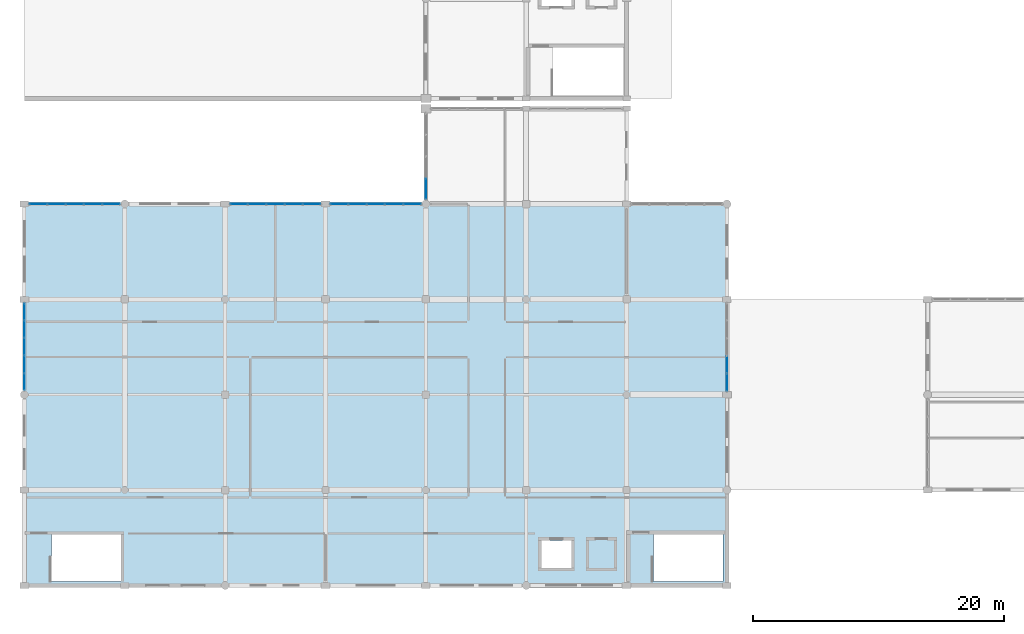
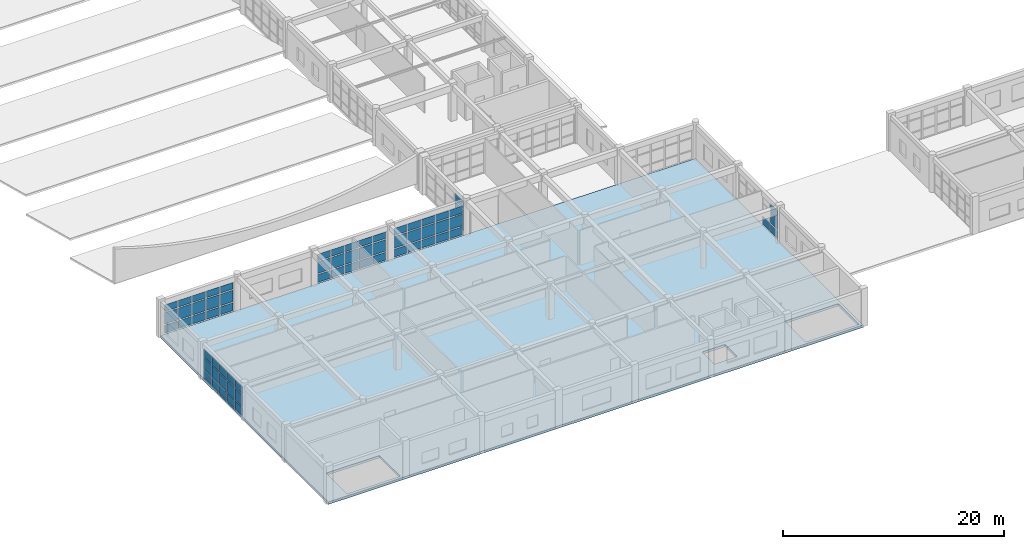
# One storey, part 90 of 121: 67 plates, 1 slab, 6 elements without a shape of their own.
"""IFC4 building model written with IfcOpenShell, lengths in metres."""

from ifc_helpers import new_model, si_unit, direction, frame, origin, origin_2d, place, context, subcontext, project, spatial, polyline, rectangle, outline, extrude, material, layer, layer_set, type_object, element, aggregate, save


model = new_model("IFC4")

# Units and contexts
model_context = context("Model", 3, precision=1e-05, world=origin(), true_north=direction((0.0, 1.0)))
body_context = subcontext(model_context, "Body", "Model", "MODEL_VIEW")
ifc_project = project(units=[si_unit("LENGTHUNIT", "METRE"), si_unit("AREAUNIT", "SQUARE_METRE"), si_unit("VOLUMEUNIT", "CUBIC_METRE"), si_unit("PLANEANGLEUNIT", "RADIAN"), si_unit("MASSUNIT", "GRAM", prefix="KILO")], contexts=[model_context])

# Site, building, storey
site_placement = place(None, origin())
site = spatial("IfcSite", under=ifc_project, at=site_placement, CompositionType="ELEMENT")
building_placement = place(site_placement, origin())
building = spatial("IfcBuilding", under=site, at=building_placement, Name="Kharva Crest Polytechnic", CompositionType="ELEMENT")
storey_placement = place(building_placement, frame((0.0, 0.0, 13.199951171875)))
storey = spatial("IfcBuildingStorey", under=building, at=storey_placement, Name="L03", CompositionType="ELEMENT", Elevation=13.199951171875)

# Curtain wall, plates
ifc_material_1 = material(Name="Tempered insulated glass", Category="glass")
curtain_wall_type = type_object("IfcCurtainWallType", Name="CW-SYS-COURT", PredefinedType="USERDEFINED", material=ifc_material_1)
curtain_wall_1_placement = place(storey_placement, origin())
curtain_wall_1 = element("IfcCurtainWall", 1, at=curtain_wall_1_placement, inside=storey, type_object=curtain_wall_type, Name="L03 Glazed Curtain Wall CW-125", ObjectType="CURTAIN WALL", PredefinedType="USERDEFINED")
ifc_layer_1 = layer(ifc_material_1, 0.02392578125, Name="Tempered insulated glass")
ifc_layer_set_1 = layer_set([ifc_layer_1], Name="Tempered insulated glass")
plate_type = type_object("IfcPlateType", Name="CWP-GLZ-24", PredefinedType="CURTAIN_PANEL", material=ifc_layer_set_1)
plate_1_placement = place(storey_placement, frame((56.0, 16.18408203125, 0.119873046875), z_axis=(0.0, 0.0, 1.0), x_axis=(0.0, 1.0, 0.0)))
plate_1 = element("IfcPlate", 2, at=plate_1_placement, type_object=plate_type, Name="CW-125 panel 1.1", PredefinedType="CURTAIN_PANEL", context=body_context, shape_type="SweptSolid", body=[
    extrude(rectangle(XDim=1.298095703125, YDim=0.02392578125, at=origin_2d()), origin(), (0.0, 0.0, 1.0), 0.8701171875),
])
plate_2_placement = place(storey_placement, frame((56.0, 16.18408203125, 1.10986328125), z_axis=(0.0, 0.0, 1.0), x_axis=(0.0, 1.0, 0.0)))
plate_2 = element("IfcPlate", 3, at=plate_2_placement, type_object=plate_type, Name="CW-125 panel 1.2", PredefinedType="CURTAIN_PANEL", context=body_context, shape_type="SweptSolid", body=[
    extrude(rectangle(XDim=1.298095703125, YDim=0.02392578125, at=origin_2d()), origin(), (0.0, 0.0, 1.0), 1.280029296875),
])
plate_3_placement = place(storey_placement, frame((56.0, 16.18408203125, 2.510009765625), z_axis=(0.0, 0.0, 1.0), x_axis=(0.0, 1.0, 0.0)))
plate_3 = element("IfcPlate", 4, at=plate_3_placement, type_object=plate_type, Name="CW-125 panel 1.3", PredefinedType="CURTAIN_PANEL", context=body_context, shape_type="SweptSolid", body=[
    extrude(rectangle(XDim=1.298095703125, YDim=0.02392578125, at=origin_2d()), origin(), (0.0, 0.0, 1.0), 0.7099609375),
])
plate_4_placement = place(storey_placement, frame((56.0, 17.58203125, 0.119873046875), z_axis=(0.0, 0.0, 1.0), x_axis=(0.0, 1.0, 0.0)))
plate_4 = element("IfcPlate", 5, at=plate_4_placement, type_object=plate_type, Name="CW-125 panel 2.1", PredefinedType="CURTAIN_PANEL", context=body_context, shape_type="SweptSolid", body=[
    extrude(rectangle(XDim=1.337890625, YDim=0.02392578125, at=origin_2d()), origin(), (0.0, 0.0, 1.0), 0.8701171875),
])
aggregate(curtain_wall_1, [plate_1, plate_2, plate_3, plate_4])

curtain_wall_2_placement = place(storey_placement, origin())
curtain_wall_2 = element("IfcCurtainWall", 6, at=curtain_wall_2_placement, inside=storey, type_object=curtain_wall_type, Name="L03 Glazed Curtain Wall CW-129", ObjectType="CURTAIN WALL", PredefinedType="USERDEFINED")
plate_5_placement = place(storey_placement, frame((32.0, 31.613037109375, 0.119873046875), z_axis=(0.0, 0.0, 1.0), x_axis=(0.0, -1.0, 0.0)))
plate_5 = element("IfcPlate", 7, at=plate_5_placement, type_object=plate_type, Name="CW-129 panel 4.1", PredefinedType="CURTAIN_PANEL", context=body_context, shape_type="SweptSolid", body=[
    extrude(rectangle(XDim=1.6162109375, YDim=0.02392578125, at=origin_2d()), origin(), (0.0, 0.0, 1.0), 0.8701171875),
])
plate_6_placement = place(storey_placement, frame((32.0, 31.613037109375, 1.10986328125), z_axis=(0.0, 0.0, 1.0), x_axis=(0.0, -1.0, 0.0)))
plate_6 = element("IfcPlate", 8, at=plate_6_placement, type_object=plate_type, Name="CW-129 panel 4.2", PredefinedType="CURTAIN_PANEL", context=body_context, shape_type="SweptSolid", body=[
    extrude(rectangle(XDim=1.6162109375, YDim=0.02392578125, at=origin_2d()), origin(), (0.0, 0.0, 1.0), 1.280029296875),
])
plate_7_placement = place(storey_placement, frame((32.0, 31.613037109375, 2.510009765625), z_axis=(0.0, 0.0, 1.0), x_axis=(0.0, -1.0, 0.0)))
plate_7 = element("IfcPlate", 9, at=plate_7_placement, type_object=plate_type, Name="CW-129 panel 4.3", PredefinedType="CURTAIN_PANEL", context=body_context, shape_type="SweptSolid", body=[
    extrude(rectangle(XDim=1.6162109375, YDim=0.02392578125, at=origin_2d()), origin(), (0.0, 0.0, 1.0), 0.81005859375),
])
aggregate(curtain_wall_2, [plate_5, plate_6, plate_7])

curtain_wall_3_placement = place(storey_placement, origin())
curtain_wall_3 = element("IfcCurtainWall", 10, at=curtain_wall_3_placement, inside=storey, type_object=curtain_wall_type, Name="L03 Glazed Curtain Wall CW-130", ObjectType="CURTAIN WALL", PredefinedType="USERDEFINED")
plate_8_placement = place(storey_placement, frame((30.922119140625, 30.39990234375, 0.119873046875), z_axis=(0.0, 0.0, 1.0), x_axis=(-1.0, 0.0, 0.0)))
plate_8 = element("IfcPlate", 11, at=plate_8_placement, type_object=plate_type, Name="CW-130 panel 1.1", PredefinedType="CURTAIN_PANEL", context=body_context, shape_type="SweptSolid", body=[
    extrude(rectangle(XDim=1.345947265625, YDim=0.02392578125, at=origin_2d()), origin(), (0.0, 0.0, 1.0), 0.8701171875),
])
plate_9_placement = place(storey_placement, frame((30.922119140625, 30.39990234375, 1.10986328125), z_axis=(0.0, 0.0, 1.0), x_axis=(-1.0, 0.0, 0.0)))
plate_9 = element("IfcPlate", 12, at=plate_9_placement, type_object=plate_type, Name="CW-130 panel 1.2", PredefinedType="CURTAIN_PANEL", context=body_context, shape_type="SweptSolid", body=[
    extrude(rectangle(XDim=1.345947265625, YDim=0.02392578125, at=origin_2d()), origin(), (0.0, 0.0, 1.0), 1.280029296875),
])
plate_10_placement = place(storey_placement, frame((30.922119140625, 30.39990234375, 2.51025390625), z_axis=(0.0, 0.0, 1.0), x_axis=(-1.0, 0.0, 0.0)))
plate_10 = element("IfcPlate", 13, at=plate_10_placement, type_object=plate_type, Name="CW-130 panel 1.3", PredefinedType="CURTAIN_PANEL", context=body_context, shape_type="SweptSolid", body=[
    extrude(rectangle(XDim=1.345947265625, YDim=0.02392578125, at=origin_2d()), origin(), (0.0, 0.0, 1.0), 0.780029296875),
])
plate_11_placement = place(storey_placement, frame((29.47607421875, 30.39990234375, 0.119873046875), z_axis=(0.0, 0.0, 1.0), x_axis=(-1.0, 0.0, 0.0)))
plate_11 = element("IfcPlate", 14, at=plate_11_placement, type_object=plate_type, Name="CW-130 panel 2.1", PredefinedType="CURTAIN_PANEL", context=body_context, shape_type="SweptSolid", body=[
    extrude(rectangle(XDim=1.385986328125, YDim=0.02392578125, at=origin_2d()), origin(), (0.0, 0.0, 1.0), 0.8701171875),
])
plate_12_placement = place(storey_placement, frame((29.47607421875, 30.39990234375, 1.10986328125), z_axis=(0.0, 0.0, 1.0), x_axis=(-1.0, 0.0, 0.0)))
plate_12 = element("IfcPlate", 15, at=plate_12_placement, type_object=plate_type, Name="CW-130 panel 2.2", PredefinedType="CURTAIN_PANEL", context=body_context, shape_type="SweptSolid", body=[
    extrude(rectangle(XDim=1.385986328125, YDim=0.02392578125, at=origin_2d()), origin(), (0.0, 0.0, 1.0), 1.280029296875),
])
plate_13_placement = place(storey_placement, frame((29.47607421875, 30.39990234375, 2.51025390625), z_axis=(0.0, 0.0, 1.0), x_axis=(-1.0, 0.0, 0.0)))
plate_13 = element("IfcPlate", 16, at=plate_13_placement, type_object=plate_type, Name="CW-130 panel 2.3", PredefinedType="CURTAIN_PANEL", context=body_context, shape_type="SweptSolid", body=[
    extrude(rectangle(XDim=1.385986328125, YDim=0.02392578125, at=origin_2d()), origin(), (0.0, 0.0, 1.0), 0.780029296875),
])
plate_14_placement = place(storey_placement, frame((28.010009765625, 30.39990234375, 0.119873046875), z_axis=(0.0, 0.0, 1.0), x_axis=(-1.0, 0.0, 0.0)))
plate_14 = element("IfcPlate", 17, at=plate_14_placement, type_object=plate_type, Name="CW-130 panel 3.1", PredefinedType="CURTAIN_PANEL", context=body_context, shape_type="SweptSolid", body=[
    extrude(rectangle(XDim=1.385986328125, YDim=0.02392578125, at=origin_2d()), origin(), (0.0, 0.0, 1.0), 0.8701171875),
])
plate_15_placement = place(storey_placement, frame((28.010009765625, 30.39990234375, 1.10986328125), z_axis=(0.0, 0.0, 1.0), x_axis=(-1.0, 0.0, 0.0)))
plate_15 = element("IfcPlate", 18, at=plate_15_placement, type_object=plate_type, Name="CW-130 panel 3.2", PredefinedType="CURTAIN_PANEL", context=body_context, shape_type="SweptSolid", body=[
    extrude(rectangle(XDim=1.385986328125, YDim=0.02392578125, at=origin_2d()), origin(), (0.0, 0.0, 1.0), 1.280029296875),
])
plate_16_placement = place(storey_placement, frame((28.010009765625, 30.39990234375, 2.51025390625), z_axis=(0.0, 0.0, 1.0), x_axis=(-1.0, 0.0, 0.0)))
plate_16 = element("IfcPlate", 19, at=plate_16_placement, type_object=plate_type, Name="CW-130 panel 3.3", PredefinedType="CURTAIN_PANEL", context=body_context, shape_type="SweptSolid", body=[
    extrude(rectangle(XDim=1.385986328125, YDim=0.02392578125, at=origin_2d()), origin(), (0.0, 0.0, 1.0), 0.780029296875),
])
plate_17_placement = place(storey_placement, frame((26.5439453125, 30.39990234375, 0.119873046875), z_axis=(0.0, 0.0, 1.0), x_axis=(-1.0, 0.0, 0.0)))
plate_17 = element("IfcPlate", 20, at=plate_17_placement, type_object=plate_type, Name="CW-130 panel 4.1", PredefinedType="CURTAIN_PANEL", context=body_context, shape_type="SweptSolid", body=[
    extrude(rectangle(XDim=1.385986328125, YDim=0.02392578125, at=origin_2d()), origin(), (0.0, 0.0, 1.0), 0.8701171875),
])
plate_18_placement = place(storey_placement, frame((26.5439453125, 30.39990234375, 1.10986328125), z_axis=(0.0, 0.0, 1.0), x_axis=(-1.0, 0.0, 0.0)))
plate_18 = element("IfcPlate", 21, at=plate_18_placement, type_object=plate_type, Name="CW-130 panel 4.2", PredefinedType="CURTAIN_PANEL", context=body_context, shape_type="SweptSolid", body=[
    extrude(rectangle(XDim=1.385986328125, YDim=0.02392578125, at=origin_2d()), origin(), (0.0, 0.0, 1.0), 1.280029296875),
])
plate_19_placement = place(storey_placement, frame((26.5439453125, 30.39990234375, 2.51025390625), z_axis=(0.0, 0.0, 1.0), x_axis=(-1.0, 0.0, 0.0)))
plate_19 = element("IfcPlate", 22, at=plate_19_placement, type_object=plate_type, Name="CW-130 panel 4.3", PredefinedType="CURTAIN_PANEL", context=body_context, shape_type="SweptSolid", body=[
    extrude(rectangle(XDim=1.385986328125, YDim=0.02392578125, at=origin_2d()), origin(), (0.0, 0.0, 1.0), 0.780029296875),
])
plate_20_placement = place(storey_placement, frame((25.097900390625, 30.39990234375, 0.119873046875), z_axis=(0.0, 0.0, 1.0), x_axis=(-1.0, 0.0, 0.0)))
plate_20 = element("IfcPlate", 23, at=plate_20_placement, type_object=plate_type, Name="CW-130 panel 5.1", PredefinedType="CURTAIN_PANEL", context=body_context, shape_type="SweptSolid", body=[
    extrude(rectangle(XDim=1.345947265625, YDim=0.02392578125, at=origin_2d()), origin(), (0.0, 0.0, 1.0), 0.8701171875),
])
plate_21_placement = place(storey_placement, frame((25.097900390625, 30.39990234375, 1.10986328125), z_axis=(0.0, 0.0, 1.0), x_axis=(-1.0, 0.0, 0.0)))
plate_21 = element("IfcPlate", 24, at=plate_21_placement, type_object=plate_type, Name="CW-130 panel 5.2", PredefinedType="CURTAIN_PANEL", context=body_context, shape_type="SweptSolid", body=[
    extrude(rectangle(XDim=1.345947265625, YDim=0.02392578125, at=origin_2d()), origin(), (0.0, 0.0, 1.0), 1.280029296875),
])
plate_22_placement = place(storey_placement, frame((25.097900390625, 30.39990234375, 2.51025390625), z_axis=(0.0, 0.0, 1.0), x_axis=(-1.0, 0.0, 0.0)))
plate_22 = element("IfcPlate", 25, at=plate_22_placement, type_object=plate_type, Name="CW-130 panel 5.3", PredefinedType="CURTAIN_PANEL", context=body_context, shape_type="SweptSolid", body=[
    extrude(rectangle(XDim=1.345947265625, YDim=0.02392578125, at=origin_2d()), origin(), (0.0, 0.0, 1.0), 0.780029296875),
])
aggregate(curtain_wall_3, [plate_8, plate_9, plate_10, plate_11, plate_12, plate_13, plate_14, plate_15, plate_16, plate_17, plate_18, plate_19, plate_20, plate_21, plate_22])

curtain_wall_4_placement = place(storey_placement, origin())
curtain_wall_4 = element("IfcCurtainWall", 26, at=curtain_wall_4_placement, inside=storey, type_object=curtain_wall_type, Name="L03 Glazed Curtain Wall CW-131", ObjectType="CURTAIN WALL", PredefinedType="USERDEFINED")
plate_23_placement = place(storey_placement, frame((22.905029296875, 30.39990234375, 0.119873046875), z_axis=(0.0, 0.0, 1.0), x_axis=(-1.0, 0.0, 0.0)))
plate_23 = element("IfcPlate", 27, at=plate_23_placement, type_object=plate_type, Name="CW-131 panel 1.1", PredefinedType="CURTAIN_PANEL", context=body_context, shape_type="SweptSolid", body=[
    extrude(rectangle(XDim=1.340087890625, YDim=0.02392578125, at=origin_2d()), origin(), (0.0, 0.0, 1.0), 0.8701171875),
])
plate_24_placement = place(storey_placement, frame((22.905029296875, 30.39990234375, 1.10986328125), z_axis=(0.0, 0.0, 1.0), x_axis=(-1.0, 0.0, 0.0)))
plate_24 = element("IfcPlate", 28, at=plate_24_placement, type_object=plate_type, Name="CW-131 panel 1.2", PredefinedType="CURTAIN_PANEL", context=body_context, shape_type="SweptSolid", body=[
    extrude(rectangle(XDim=1.340087890625, YDim=0.02392578125, at=origin_2d()), origin(), (0.0, 0.0, 1.0), 1.280029296875),
])
plate_25_placement = place(storey_placement, frame((22.905029296875, 30.39990234375, 2.510009765625), z_axis=(0.0, 0.0, 1.0), x_axis=(-1.0, 0.0, 0.0)))
plate_25 = element("IfcPlate", 29, at=plate_25_placement, type_object=plate_type, Name="CW-131 panel 1.3", PredefinedType="CURTAIN_PANEL", context=body_context, shape_type="SweptSolid", body=[
    extrude(rectangle(XDim=1.340087890625, YDim=0.02392578125, at=origin_2d()), origin(), (0.0, 0.0, 1.0), 0.72998046875),
])
plate_26_placement = place(storey_placement, frame((21.465087890625, 30.39990234375, 0.119873046875), z_axis=(0.0, 0.0, 1.0), x_axis=(-1.0, 0.0, 0.0)))
plate_26 = element("IfcPlate", 30, at=plate_26_placement, type_object=plate_type, Name="CW-131 panel 2.1", PredefinedType="CURTAIN_PANEL", context=body_context, shape_type="SweptSolid", body=[
    extrude(rectangle(XDim=1.3798828125, YDim=0.02392578125, at=origin_2d()), origin(), (0.0, 0.0, 1.0), 0.8701171875),
])
plate_27_placement = place(storey_placement, frame((21.465087890625, 30.39990234375, 1.10986328125), z_axis=(0.0, 0.0, 1.0), x_axis=(-1.0, 0.0, 0.0)))
plate_27 = element("IfcPlate", 31, at=plate_27_placement, type_object=plate_type, Name="CW-131 panel 2.2", PredefinedType="CURTAIN_PANEL", context=body_context, shape_type="SweptSolid", body=[
    extrude(rectangle(XDim=1.3798828125, YDim=0.02392578125, at=origin_2d()), origin(), (0.0, 0.0, 1.0), 1.280029296875),
])
plate_28_placement = place(storey_placement, frame((21.465087890625, 30.39990234375, 2.510009765625), z_axis=(0.0, 0.0, 1.0), x_axis=(-1.0, 0.0, 0.0)))
plate_28 = element("IfcPlate", 32, at=plate_28_placement, type_object=plate_type, Name="CW-131 panel 2.3", PredefinedType="CURTAIN_PANEL", context=body_context, shape_type="SweptSolid", body=[
    extrude(rectangle(XDim=1.3798828125, YDim=0.02392578125, at=origin_2d()), origin(), (0.0, 0.0, 1.0), 0.72998046875),
])
plate_29_placement = place(storey_placement, frame((20.0048828125, 30.39990234375, 0.119873046875), z_axis=(0.0, 0.0, 1.0), x_axis=(-1.0, 0.0, 0.0)))
plate_29 = element("IfcPlate", 33, at=plate_29_placement, type_object=plate_type, Name="CW-131 panel 3.1", PredefinedType="CURTAIN_PANEL", context=body_context, shape_type="SweptSolid", body=[
    extrude(rectangle(XDim=1.3798828125, YDim=0.02392578125, at=origin_2d()), origin(), (0.0, 0.0, 1.0), 0.8701171875),
])
plate_30_placement = place(storey_placement, frame((20.0048828125, 30.39990234375, 1.10986328125), z_axis=(0.0, 0.0, 1.0), x_axis=(-1.0, 0.0, 0.0)))
plate_30 = element("IfcPlate", 34, at=plate_30_placement, type_object=plate_type, Name="CW-131 panel 3.2", PredefinedType="CURTAIN_PANEL", context=body_context, shape_type="SweptSolid", body=[
    extrude(rectangle(XDim=1.3798828125, YDim=0.02392578125, at=origin_2d()), origin(), (0.0, 0.0, 1.0), 1.280029296875),
])
plate_31_placement = place(storey_placement, frame((20.0048828125, 30.39990234375, 2.510009765625), z_axis=(0.0, 0.0, 1.0), x_axis=(-1.0, 0.0, 0.0)))
plate_31 = element("IfcPlate", 35, at=plate_31_placement, type_object=plate_type, Name="CW-131 panel 3.3", PredefinedType="CURTAIN_PANEL", context=body_context, shape_type="SweptSolid", body=[
    extrude(rectangle(XDim=1.3798828125, YDim=0.02392578125, at=origin_2d()), origin(), (0.0, 0.0, 1.0), 0.72998046875),
])
plate_32_placement = place(storey_placement, frame((18.544921875, 30.39990234375, 0.119873046875), z_axis=(0.0, 0.0, 1.0), x_axis=(-1.0, 0.0, 0.0)))
plate_32 = element("IfcPlate", 36, at=plate_32_placement, type_object=plate_type, Name="CW-131 panel 4.1", PredefinedType="CURTAIN_PANEL", context=body_context, shape_type="SweptSolid", body=[
    extrude(rectangle(XDim=1.3798828125, YDim=0.02392578125, at=origin_2d()), origin(), (0.0, 0.0, 1.0), 0.8701171875),
])
plate_33_placement = place(storey_placement, frame((18.544921875, 30.39990234375, 1.10986328125), z_axis=(0.0, 0.0, 1.0), x_axis=(-1.0, 0.0, 0.0)))
plate_33 = element("IfcPlate", 37, at=plate_33_placement, type_object=plate_type, Name="CW-131 panel 4.2", PredefinedType="CURTAIN_PANEL", context=body_context, shape_type="SweptSolid", body=[
    extrude(rectangle(XDim=1.3798828125, YDim=0.02392578125, at=origin_2d()), origin(), (0.0, 0.0, 1.0), 1.280029296875),
])
plate_34_placement = place(storey_placement, frame((18.544921875, 30.39990234375, 2.510009765625), z_axis=(0.0, 0.0, 1.0), x_axis=(-1.0, 0.0, 0.0)))
plate_34 = element("IfcPlate", 38, at=plate_34_placement, type_object=plate_type, Name="CW-131 panel 4.3", PredefinedType="CURTAIN_PANEL", context=body_context, shape_type="SweptSolid", body=[
    extrude(rectangle(XDim=1.3798828125, YDim=0.02392578125, at=origin_2d()), origin(), (0.0, 0.0, 1.0), 0.72998046875),
])
plate_35_placement = place(storey_placement, frame((17.10498046875, 30.39990234375, 0.119873046875), z_axis=(0.0, 0.0, 1.0), x_axis=(-1.0, 0.0, 0.0)))
plate_35 = element("IfcPlate", 39, at=plate_35_placement, type_object=plate_type, Name="CW-131 panel 5.1", PredefinedType="CURTAIN_PANEL", context=body_context, shape_type="SweptSolid", body=[
    extrude(rectangle(XDim=1.340087890625, YDim=0.02392578125, at=origin_2d()), origin(), (0.0, 0.0, 1.0), 0.8701171875),
])
plate_36_placement = place(storey_placement, frame((17.10498046875, 30.39990234375, 1.10986328125), z_axis=(0.0, 0.0, 1.0), x_axis=(-1.0, 0.0, 0.0)))
plate_36 = element("IfcPlate", 40, at=plate_36_placement, type_object=plate_type, Name="CW-131 panel 5.2", PredefinedType="CURTAIN_PANEL", context=body_context, shape_type="SweptSolid", body=[
    extrude(rectangle(XDim=1.340087890625, YDim=0.02392578125, at=origin_2d()), origin(), (0.0, 0.0, 1.0), 1.280029296875),
])
plate_37_placement = place(storey_placement, frame((17.10498046875, 30.39990234375, 2.510009765625), z_axis=(0.0, 0.0, 1.0), x_axis=(-1.0, 0.0, 0.0)))
plate_37 = element("IfcPlate", 41, at=plate_37_placement, type_object=plate_type, Name="CW-131 panel 5.3", PredefinedType="CURTAIN_PANEL", context=body_context, shape_type="SweptSolid", body=[
    extrude(rectangle(XDim=1.340087890625, YDim=0.02392578125, at=origin_2d()), origin(), (0.0, 0.0, 1.0), 0.72998046875),
])
aggregate(curtain_wall_4, [plate_23, plate_24, plate_25, plate_26, plate_27, plate_28, plate_29, plate_30, plate_31, plate_32, plate_33, plate_34, plate_35, plate_36, plate_37])

curtain_wall_5_placement = place(storey_placement, origin())
curtain_wall_5 = element("IfcCurtainWall", 42, at=curtain_wall_5_placement, inside=storey, type_object=curtain_wall_type, Name="L03 Glazed Curtain Wall CW-132", ObjectType="CURTAIN WALL", PredefinedType="USERDEFINED")
plate_38_placement = place(storey_placement, frame((6.922119140625, 30.39990234375, 0.119873046875), z_axis=(0.0, 0.0, 1.0), x_axis=(-1.0, 0.0, 0.0)))
plate_38 = element("IfcPlate", 43, at=plate_38_placement, type_object=plate_type, Name="CW-132 panel 1.1", PredefinedType="CURTAIN_PANEL", context=body_context, shape_type="SweptSolid", body=[
    extrude(rectangle(XDim=1.345947265625, YDim=0.02392578125, at=origin_2d()), origin(), (0.0, 0.0, 1.0), 0.8701171875),
])
plate_39_placement = place(storey_placement, frame((6.922119140625, 30.39990234375, 1.10986328125), z_axis=(0.0, 0.0, 1.0), x_axis=(-1.0, 0.0, 0.0)))
plate_39 = element("IfcPlate", 44, at=plate_39_placement, type_object=plate_type, Name="CW-132 panel 1.2", PredefinedType="CURTAIN_PANEL", context=body_context, shape_type="SweptSolid", body=[
    extrude(rectangle(XDim=1.345947265625, YDim=0.02392578125, at=origin_2d()), origin(), (0.0, 0.0, 1.0), 1.280029296875),
])
plate_40_placement = place(storey_placement, frame((6.922119140625, 30.39990234375, 2.510009765625), z_axis=(0.0, 0.0, 1.0), x_axis=(-1.0, 0.0, 0.0)))
plate_40 = element("IfcPlate", 45, at=plate_40_placement, type_object=plate_type, Name="CW-132 panel 1.3", PredefinedType="CURTAIN_PANEL", context=body_context, shape_type="SweptSolid", body=[
    extrude(rectangle(XDim=1.345947265625, YDim=0.02392578125, at=origin_2d()), origin(), (0.0, 0.0, 1.0), 0.72998046875),
])
plate_41_placement = place(storey_placement, frame((5.47607421875, 30.39990234375, 0.119873046875), z_axis=(0.0, 0.0, 1.0), x_axis=(-1.0, 0.0, 0.0)))
plate_41 = element("IfcPlate", 46, at=plate_41_placement, type_object=plate_type, Name="CW-132 panel 2.1", PredefinedType="CURTAIN_PANEL", context=body_context, shape_type="SweptSolid", body=[
    extrude(rectangle(XDim=1.385986328125, YDim=0.02392578125, at=origin_2d()), origin(), (0.0, 0.0, 1.0), 0.8701171875),
])
plate_42_placement = place(storey_placement, frame((5.47607421875, 30.39990234375, 1.10986328125), z_axis=(0.0, 0.0, 1.0), x_axis=(-1.0, 0.0, 0.0)))
plate_42 = element("IfcPlate", 47, at=plate_42_placement, type_object=plate_type, Name="CW-132 panel 2.2", PredefinedType="CURTAIN_PANEL", context=body_context, shape_type="SweptSolid", body=[
    extrude(rectangle(XDim=1.385986328125, YDim=0.02392578125, at=origin_2d()), origin(), (0.0, 0.0, 1.0), 1.280029296875),
])
plate_43_placement = place(storey_placement, frame((5.47607421875, 30.39990234375, 2.510009765625), z_axis=(0.0, 0.0, 1.0), x_axis=(-1.0, 0.0, 0.0)))
plate_43 = element("IfcPlate", 48, at=plate_43_placement, type_object=plate_type, Name="CW-132 panel 2.3", PredefinedType="CURTAIN_PANEL", context=body_context, shape_type="SweptSolid", body=[
    extrude(rectangle(XDim=1.385986328125, YDim=0.02392578125, at=origin_2d()), origin(), (0.0, 0.0, 1.0), 0.72998046875),
])
plate_44_placement = place(storey_placement, frame((4.010009765625, 30.39990234375, 0.119873046875), z_axis=(0.0, 0.0, 1.0), x_axis=(-1.0, 0.0, 0.0)))
plate_44 = element("IfcPlate", 49, at=plate_44_placement, type_object=plate_type, Name="CW-132 panel 3.1", PredefinedType="CURTAIN_PANEL", context=body_context, shape_type="SweptSolid", body=[
    extrude(rectangle(XDim=1.385986328125, YDim=0.02392578125, at=origin_2d()), origin(), (0.0, 0.0, 1.0), 0.8701171875),
])
plate_45_placement = place(storey_placement, frame((4.010009765625, 30.39990234375, 1.10986328125), z_axis=(0.0, 0.0, 1.0), x_axis=(-1.0, 0.0, 0.0)))
plate_45 = element("IfcPlate", 50, at=plate_45_placement, type_object=plate_type, Name="CW-132 panel 3.2", PredefinedType="CURTAIN_PANEL", context=body_context, shape_type="SweptSolid", body=[
    extrude(rectangle(XDim=1.385986328125, YDim=0.02392578125, at=origin_2d()), origin(), (0.0, 0.0, 1.0), 1.280029296875),
])
plate_46_placement = place(storey_placement, frame((4.010009765625, 30.39990234375, 2.510009765625), z_axis=(0.0, 0.0, 1.0), x_axis=(-1.0, 0.0, 0.0)))
plate_46 = element("IfcPlate", 51, at=plate_46_placement, type_object=plate_type, Name="CW-132 panel 3.3", PredefinedType="CURTAIN_PANEL", context=body_context, shape_type="SweptSolid", body=[
    extrude(rectangle(XDim=1.385986328125, YDim=0.02392578125, at=origin_2d()), origin(), (0.0, 0.0, 1.0), 0.72998046875),
])
plate_47_placement = place(storey_placement, frame((2.5439453125, 30.39990234375, 0.119873046875), z_axis=(0.0, 0.0, 1.0), x_axis=(-1.0, 0.0, 0.0)))
plate_47 = element("IfcPlate", 52, at=plate_47_placement, type_object=plate_type, Name="CW-132 panel 4.1", PredefinedType="CURTAIN_PANEL", context=body_context, shape_type="SweptSolid", body=[
    extrude(rectangle(XDim=1.385986328125, YDim=0.02392578125, at=origin_2d()), origin(), (0.0, 0.0, 1.0), 0.8701171875),
])
plate_48_placement = place(storey_placement, frame((2.5439453125, 30.39990234375, 1.10986328125), z_axis=(0.0, 0.0, 1.0), x_axis=(-1.0, 0.0, 0.0)))
plate_48 = element("IfcPlate", 53, at=plate_48_placement, type_object=plate_type, Name="CW-132 panel 4.2", PredefinedType="CURTAIN_PANEL", context=body_context, shape_type="SweptSolid", body=[
    extrude(rectangle(XDim=1.385986328125, YDim=0.02392578125, at=origin_2d()), origin(), (0.0, 0.0, 1.0), 1.280029296875),
])
plate_49_placement = place(storey_placement, frame((2.5439453125, 30.39990234375, 2.510009765625), z_axis=(0.0, 0.0, 1.0), x_axis=(-1.0, 0.0, 0.0)))
plate_49 = element("IfcPlate", 54, at=plate_49_placement, type_object=plate_type, Name="CW-132 panel 4.3", PredefinedType="CURTAIN_PANEL", context=body_context, shape_type="SweptSolid", body=[
    extrude(rectangle(XDim=1.385986328125, YDim=0.02392578125, at=origin_2d()), origin(), (0.0, 0.0, 1.0), 0.72998046875),
])
plate_50_placement = place(storey_placement, frame((1.097900390625, 30.39990234375, 0.119873046875), z_axis=(0.0, 0.0, 1.0), x_axis=(-1.0, 0.0, 0.0)))
plate_50 = element("IfcPlate", 55, at=plate_50_placement, type_object=plate_type, Name="CW-132 panel 5.1", PredefinedType="CURTAIN_PANEL", context=body_context, shape_type="SweptSolid", body=[
    extrude(rectangle(XDim=1.345947265625, YDim=0.02392578125, at=origin_2d()), origin(), (0.0, 0.0, 1.0), 0.8701171875),
])
plate_51_placement = place(storey_placement, frame((1.097900390625, 30.39990234375, 1.10986328125), z_axis=(0.0, 0.0, 1.0), x_axis=(-1.0, 0.0, 0.0)))
plate_51 = element("IfcPlate", 56, at=plate_51_placement, type_object=plate_type, Name="CW-132 panel 5.2", PredefinedType="CURTAIN_PANEL", context=body_context, shape_type="SweptSolid", body=[
    extrude(rectangle(XDim=1.345947265625, YDim=0.02392578125, at=origin_2d()), origin(), (0.0, 0.0, 1.0), 1.280029296875),
])
plate_52_placement = place(storey_placement, frame((1.097900390625, 30.39990234375, 2.510009765625), z_axis=(0.0, 0.0, 1.0), x_axis=(-1.0, 0.0, 0.0)))
plate_52 = element("IfcPlate", 57, at=plate_52_placement, type_object=plate_type, Name="CW-132 panel 5.3", PredefinedType="CURTAIN_PANEL", context=body_context, shape_type="SweptSolid", body=[
    extrude(rectangle(XDim=1.345947265625, YDim=0.02392578125, at=origin_2d()), origin(), (0.0, 0.0, 1.0), 0.72998046875),
])
aggregate(curtain_wall_5, [plate_38, plate_39, plate_40, plate_41, plate_42, plate_43, plate_44, plate_45, plate_46, plate_47, plate_48, plate_49, plate_50, plate_51, plate_52])

curtain_wall_6_placement = place(storey_placement, origin())
curtain_wall_6 = element("IfcCurtainWall", 58, at=curtain_wall_6_placement, inside=storey, type_object=curtain_wall_type, Name="L03 Glazed Curtain Wall CW-133", ObjectType="CURTAIN WALL", PredefinedType="USERDEFINED")
plate_53_placement = place(storey_placement, frame((0.0, 21.822998046875, 0.119873046875), z_axis=(0.0, 0.0, 1.0), x_axis=(0.0, -1.0, 0.0)))
plate_53 = element("IfcPlate", 59, at=plate_53_placement, type_object=plate_type, Name="CW-133 panel 1.1", PredefinedType="CURTAIN_PANEL", context=body_context, shape_type="SweptSolid", body=[
    extrude(rectangle(XDim=1.283935546875, YDim=0.02392578125, at=origin_2d()), origin(), (0.0, 0.0, 1.0), 0.8701171875),
])
plate_54_placement = place(storey_placement, frame((0.0, 21.822998046875, 1.10986328125), z_axis=(0.0, 0.0, 1.0), x_axis=(0.0, -1.0, 0.0)))
plate_54 = element("IfcPlate", 60, at=plate_54_placement, type_object=plate_type, Name="CW-133 panel 1.2", PredefinedType="CURTAIN_PANEL", context=body_context, shape_type="SweptSolid", body=[
    extrude(rectangle(XDim=1.283935546875, YDim=0.02392578125, at=origin_2d()), origin(), (0.0, 0.0, 1.0), 1.280029296875),
])
plate_55_placement = place(storey_placement, frame((0.0, 21.822998046875, 2.510009765625), z_axis=(0.0, 0.0, 1.0), x_axis=(0.0, -1.0, 0.0)))
plate_55 = element("IfcPlate", 61, at=plate_55_placement, type_object=plate_type, Name="CW-133 panel 1.3", PredefinedType="CURTAIN_PANEL", context=body_context, shape_type="SweptSolid", body=[
    extrude(rectangle(XDim=1.283935546875, YDim=0.02392578125, at=origin_2d()), origin(), (0.0, 0.0, 1.0), 0.81005859375),
])
plate_56_placement = place(storey_placement, frame((0.0, 20.43896484375, 0.119873046875), z_axis=(0.0, 0.0, 1.0), x_axis=(0.0, -1.0, 0.0)))
plate_56 = element("IfcPlate", 62, at=plate_56_placement, type_object=plate_type, Name="CW-133 panel 2.1", PredefinedType="CURTAIN_PANEL", context=body_context, shape_type="SweptSolid", body=[
    extrude(rectangle(XDim=1.323974609375, YDim=0.02392578125, at=origin_2d()), origin(), (0.0, 0.0, 1.0), 0.8701171875),
])
plate_57_placement = place(storey_placement, frame((0.0, 20.43896484375, 1.10986328125), z_axis=(0.0, 0.0, 1.0), x_axis=(0.0, -1.0, 0.0)))
plate_57 = element("IfcPlate", 63, at=plate_57_placement, type_object=plate_type, Name="CW-133 panel 2.2", PredefinedType="CURTAIN_PANEL", context=body_context, shape_type="SweptSolid", body=[
    extrude(rectangle(XDim=1.323974609375, YDim=0.02392578125, at=origin_2d()), origin(), (0.0, 0.0, 1.0), 1.280029296875),
])
plate_58_placement = place(storey_placement, frame((0.0, 20.43896484375, 2.510009765625), z_axis=(0.0, 0.0, 1.0), x_axis=(0.0, -1.0, 0.0)))
plate_58 = element("IfcPlate", 64, at=plate_58_placement, type_object=plate_type, Name="CW-133 panel 2.3", PredefinedType="CURTAIN_PANEL", context=body_context, shape_type="SweptSolid", body=[
    extrude(rectangle(XDim=1.323974609375, YDim=0.02392578125, at=origin_2d()), origin(), (0.0, 0.0, 1.0), 0.81005859375),
])
plate_59_placement = place(storey_placement, frame((0.0, 19.034912109375, 0.119873046875), z_axis=(0.0, 0.0, 1.0), x_axis=(0.0, -1.0, 0.0)))
plate_59 = element("IfcPlate", 65, at=plate_59_placement, type_object=plate_type, Name="CW-133 panel 3.1", PredefinedType="CURTAIN_PANEL", context=body_context, shape_type="SweptSolid", body=[
    extrude(rectangle(XDim=1.323974609375, YDim=0.02392578125, at=origin_2d()), origin(), (0.0, 0.0, 1.0), 0.8701171875),
])
plate_60_placement = place(storey_placement, frame((0.0, 19.034912109375, 1.10986328125), z_axis=(0.0, 0.0, 1.0), x_axis=(0.0, -1.0, 0.0)))
plate_60 = element("IfcPlate", 66, at=plate_60_placement, type_object=plate_type, Name="CW-133 panel 3.2", PredefinedType="CURTAIN_PANEL", context=body_context, shape_type="SweptSolid", body=[
    extrude(rectangle(XDim=1.323974609375, YDim=0.02392578125, at=origin_2d()), origin(), (0.0, 0.0, 1.0), 1.280029296875),
])
plate_61_placement = place(storey_placement, frame((0.0, 19.034912109375, 2.510009765625), z_axis=(0.0, 0.0, 1.0), x_axis=(0.0, -1.0, 0.0)))
plate_61 = element("IfcPlate", 67, at=plate_61_placement, type_object=plate_type, Name="CW-133 panel 3.3", PredefinedType="CURTAIN_PANEL", context=body_context, shape_type="SweptSolid", body=[
    extrude(rectangle(XDim=1.323974609375, YDim=0.02392578125, at=origin_2d()), origin(), (0.0, 0.0, 1.0), 0.81005859375),
])
plate_62_placement = place(storey_placement, frame((0.0, 17.631103515625, 0.119873046875), z_axis=(0.0, 0.0, 1.0), x_axis=(0.0, -1.0, 0.0)))
plate_62 = element("IfcPlate", 68, at=plate_62_placement, type_object=plate_type, Name="CW-133 panel 4.1", PredefinedType="CURTAIN_PANEL", context=body_context, shape_type="SweptSolid", body=[
    extrude(rectangle(XDim=1.323974609375, YDim=0.02392578125, at=origin_2d()), origin(), (0.0, 0.0, 1.0), 0.8701171875),
])
plate_63_placement = place(storey_placement, frame((0.0, 17.631103515625, 1.10986328125), z_axis=(0.0, 0.0, 1.0), x_axis=(0.0, -1.0, 0.0)))
plate_63 = element("IfcPlate", 69, at=plate_63_placement, type_object=plate_type, Name="CW-133 panel 4.2", PredefinedType="CURTAIN_PANEL", context=body_context, shape_type="SweptSolid", body=[
    extrude(rectangle(XDim=1.323974609375, YDim=0.02392578125, at=origin_2d()), origin(), (0.0, 0.0, 1.0), 1.280029296875),
])
plate_64_placement = place(storey_placement, frame((0.0, 17.631103515625, 2.510009765625), z_axis=(0.0, 0.0, 1.0), x_axis=(0.0, -1.0, 0.0)))
plate_64 = element("IfcPlate", 70, at=plate_64_placement, type_object=plate_type, Name="CW-133 panel 4.3", PredefinedType="CURTAIN_PANEL", context=body_context, shape_type="SweptSolid", body=[
    extrude(rectangle(XDim=1.323974609375, YDim=0.02392578125, at=origin_2d()), origin(), (0.0, 0.0, 1.0), 0.81005859375),
])
plate_65_placement = place(storey_placement, frame((0.0, 16.2470703125, 0.119873046875), z_axis=(0.0, 0.0, 1.0), x_axis=(0.0, -1.0, 0.0)))
plate_65 = element("IfcPlate", 71, at=plate_65_placement, type_object=plate_type, Name="CW-133 panel 5.1", PredefinedType="CURTAIN_PANEL", context=body_context, shape_type="SweptSolid", body=[
    extrude(rectangle(XDim=1.283935546875, YDim=0.02392578125, at=origin_2d()), origin(), (0.0, 0.0, 1.0), 0.8701171875),
])
plate_66_placement = place(storey_placement, frame((0.0, 16.2470703125, 1.10986328125), z_axis=(0.0, 0.0, 1.0), x_axis=(0.0, -1.0, 0.0)))
plate_66 = element("IfcPlate", 72, at=plate_66_placement, type_object=plate_type, Name="CW-133 panel 5.2", PredefinedType="CURTAIN_PANEL", context=body_context, shape_type="SweptSolid", body=[
    extrude(rectangle(XDim=1.283935546875, YDim=0.02392578125, at=origin_2d()), origin(), (0.0, 0.0, 1.0), 1.280029296875),
])
plate_67_placement = place(storey_placement, frame((0.0, 16.2470703125, 2.510009765625), z_axis=(0.0, 0.0, 1.0), x_axis=(0.0, -1.0, 0.0)))
plate_67 = element("IfcPlate", 73, at=plate_67_placement, type_object=plate_type, Name="CW-133 panel 5.3", PredefinedType="CURTAIN_PANEL", context=body_context, shape_type="SweptSolid", body=[
    extrude(rectangle(XDim=1.283935546875, YDim=0.02392578125, at=origin_2d()), origin(), (0.0, 0.0, 1.0), 0.81005859375),
])
aggregate(curtain_wall_6, [plate_53, plate_54, plate_55, plate_56, plate_57, plate_58, plate_59, plate_60, plate_61, plate_62, plate_63, plate_64, plate_65, plate_66, plate_67])

# Slab
ifc_material_2 = material(Name="Concrete C35/45", Category="concrete")
ifc_layer_2 = layer(ifc_material_2, 0.260009765625, Name="Concrete C35/45")
ifc_layer_set_2 = layer_set([ifc_layer_2], Name="Concrete C35/45")
slab_type = type_object("IfcSlabType", Name="SLB-FLR-260", PredefinedType="FLOOR", material=ifc_layer_set_2)
slab_placement = place(storey_placement, frame((0.0, 0.0, -0.260009765625)))
element("IfcSlab", 74, at=slab_placement, inside=storey, type_object=slab_type, Name="L03 Structural Slab SW_LECT_TOP", PredefinedType="FLOOR", context=body_context, shape_type="SweptSolid", body=[
    extrude(outline(polyline([(0.0, 0.0), (56.0, 0.0), (56.0, 30.39990234375), (0.0, 30.39990234375), (0.0, 0.0)]), holes=[polyline([(50.1298828125, 0.300048828125), (55.699951171875, 0.300048828125), (55.699951171875, 4.06005859375), (50.1298828125, 4.06005859375), (50.1298828125, 0.300048828125)]), polyline([(41.199951171875, 1.39990234375), (43.60009765625, 1.39990234375), (43.60009765625, 3.60009765625), (41.199951171875, 3.60009765625), (41.199951171875, 1.39990234375)]), polyline([(2.14990234375, 0.300048828125), (7.699951171875, 0.300048828125), (7.699951171875, 4.06005859375), (2.14990234375, 4.06005859375), (2.14990234375, 0.300048828125)])]), origin(), (0.0, 0.0, 1.0), 0.260009765625),
])

save(model, "model.ifc")
